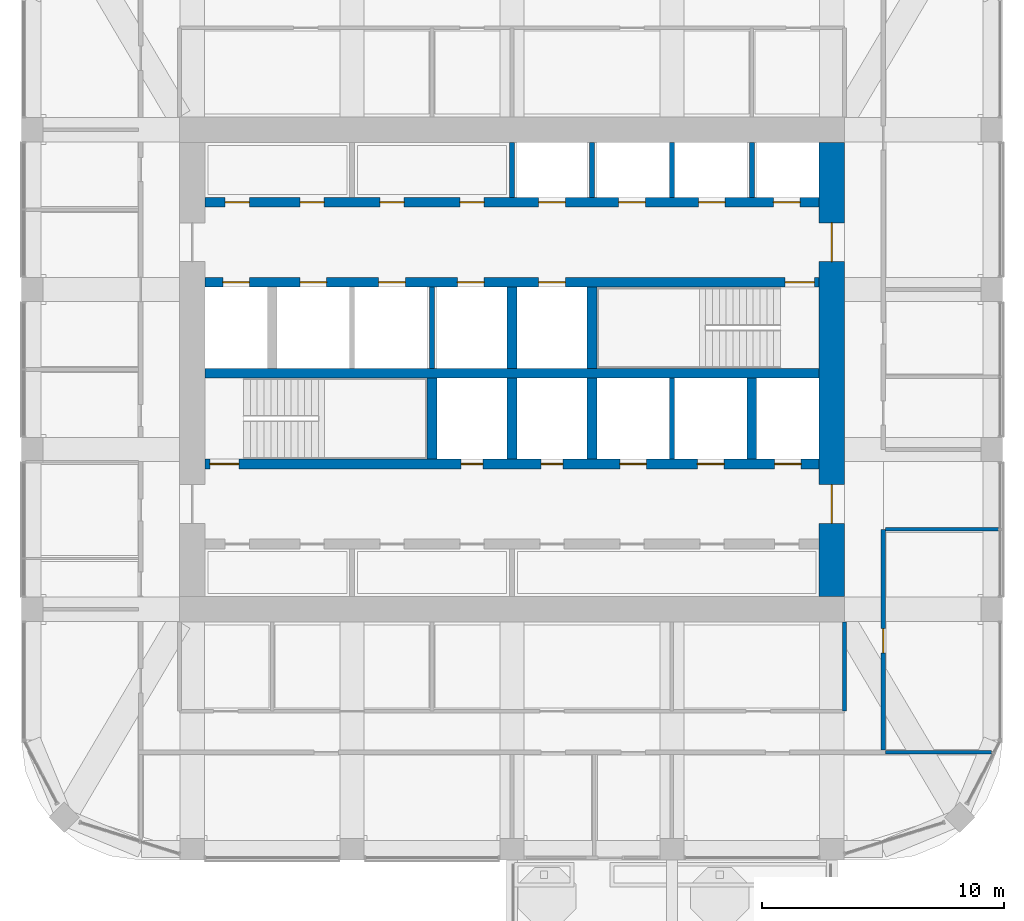
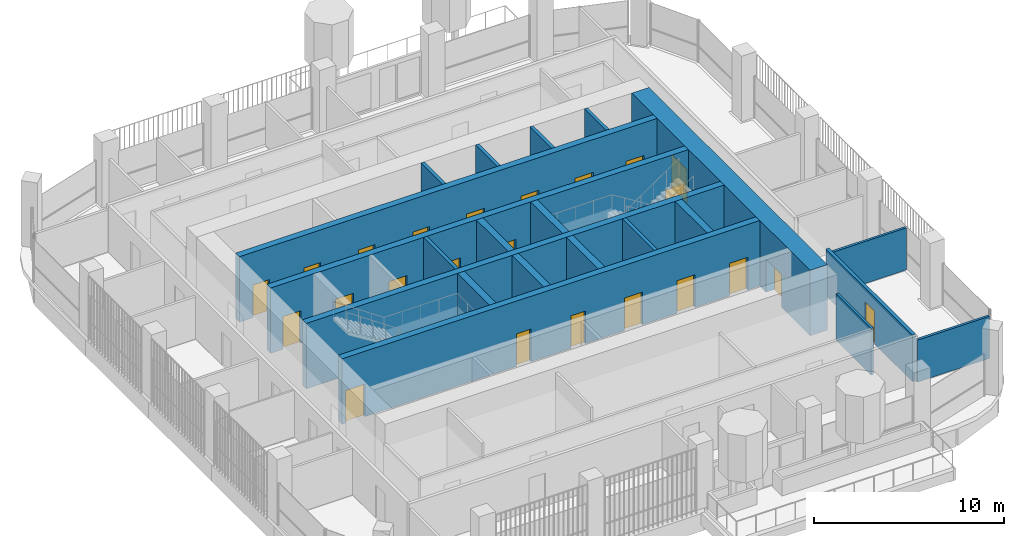
# One storey, part 15 of 21: 23 doors, 21 walls, 23 openings.
"""IFC4 building model written with IfcOpenShell, lengths in metres."""

import ifcopenshell
import ifcopenshell.guid

model = None  # the IFC model being written
_history = None  # IfcOwnerHistory: only IFC2X3 demands one
_inside = {}  # id of a spatial element -> (the spatial element, [elements in it])
_under = {}  # id of a project, library or spatial element -> (it, [spatial elements below it])
_declared = {}  # id of a project -> (the project, [libraries it declares])
_typed = {}  # id of a type object -> (the type object, [elements of that type])
_made_of = {}  # id of a material, layer set ... -> (it, [elements and type objects made of it])


def new_model(schema):
    """Start an empty IFC model of exactly this schema.

    Asked for "IFC4X3", IfcOpenShell would pick the latest addendum, in which some entities
    have other attributes; the version numbers below select the first issue.
    IFC2X3 requires an IfcOwnerHistory on every rooted entity: one is made here for all.
    """
    global model, _history
    if schema == "IFC4X3":
        model = ifcopenshell.file(schema_version=(4, 3, 0, 0))
    else:
        model = ifcopenshell.file(schema=schema)
    _inside.clear()
    _under.clear()
    _declared.clear()
    _typed.clear()
    _made_of.clear()
    _history = None
    if model.schema == "IFC2X3":
        org = make("IfcOrganization", Name="unknown")
        user = make(
            "IfcPersonAndOrganization",
            ThePerson=make("IfcPerson", FamilyName="unknown"),
            TheOrganization=org,
        )
        app = make(
            "IfcApplication",
            ApplicationDeveloper=org,
            Version="unknown",
            ApplicationFullName="unknown",
            ApplicationIdentifier="unknown",
        )
        _history = make(
            "IfcOwnerHistory",
            OwningUser=user,
            OwningApplication=app,
            ChangeAction="ADDED",
            CreationDate=0,
        )
    return model


def make(cls, **values):
    """One entity of the class cls with the attributes given. An attribute that is None is left unset."""
    return model.create_entity(
        cls, **{name: value for name, value in values.items() if value is not None}
    )


def rooted(cls, **values):
    """An entity with a GlobalId (a new one), such as an element, a storey or a relation."""
    return make(cls, GlobalId=ifcopenshell.guid.new(), OwnerHistory=_history, **values)


def si_unit(unit_type, name, prefix=None):
    """IfcSIUnit, for example si_unit("LENGTHUNIT", "METRE", prefix="MILLI")."""
    return make("IfcSIUnit", UnitType=unit_type, Prefix=prefix, Name=name)


def assignment(units):
    """IfcUnitAssignment: the units of a project."""
    return None if units is None else make("IfcUnitAssignment", Units=units)


def point(xyz):
    """IfcCartesianPoint."""
    return None if xyz is None else make("IfcCartesianPoint", Coordinates=xyz)


def direction(xyz):
    """IfcDirection."""
    return None if xyz is None else make("IfcDirection", DirectionRatios=xyz)


def frame(location, z_axis=None, x_axis=None):
    """IfcAxis2Placement3D, a coordinate frame: its origin and axes. An axis left out is left unset."""
    return make(
        "IfcAxis2Placement3D",
        Location=point(location),
        Axis=direction(z_axis),
        RefDirection=direction(x_axis),
    )


def frame_2d(location, x_axis=None):
    """IfcAxis2Placement2D, a coordinate frame in the plane: its origin and x axis."""
    return make(
        "IfcAxis2Placement2D", Location=point(location), RefDirection=direction(x_axis)
    )


def origin():
    """The frame at (0, 0, 0) with its axes left unset."""
    return frame((0.0, 0.0, 0.0))


def place(relative_to, where):
    """IfcLocalPlacement: puts the frame where relative to a parent placement (None: the world)."""
    return make(
        "IfcLocalPlacement", PlacementRelTo=relative_to, RelativePlacement=where
    )


def context(
    kind, dimensions, precision=None, world=None, true_north=None, identifier=None
):
    """IfcGeometricRepresentationContext, for example the 3D "Model" context."""
    return make(
        "IfcGeometricRepresentationContext",
        ContextIdentifier=identifier,
        ContextType=kind,
        CoordinateSpaceDimension=dimensions,
        Precision=precision,
        WorldCoordinateSystem=world,
        TrueNorth=true_north,
    )


def subcontext(parent, identifier, kind, view, scale=None):
    """IfcGeometricRepresentationSubContext, for example "Body" below "Model"."""
    return make(
        "IfcGeometricRepresentationSubContext",
        ContextIdentifier=identifier,
        ContextType=kind,
        ParentContext=parent,
        TargetScale=scale,
        TargetView=view,
    )


def project(units=None, contexts=None):
    """IfcProject with its units and contexts."""
    return rooted(
        "IfcProject",
        Name="project",
        RepresentationContexts=contexts,
        UnitsInContext=assignment(units),
    )


def spatial(cls, under=None, at=None, **own):
    """A site, building, storey or space (cls), placed at a placement, below another one or the project."""
    s = rooted(cls, ObjectPlacement=at, **own)
    if under is not None:
        _under.setdefault(under.id(), (under, []))[1].append(s)
    return s


def profile(cls, at=None, kind="AREA", **sizes):
    """A parametric profile (cls). Its sizes go by their IFC names, for example OverallWidth=200.0."""
    return make(cls, ProfileType=kind, Position=at, **sizes)


def rectangle(**sizes):
    """IfcRectangleProfileDef."""
    return profile("IfcRectangleProfileDef", **sizes)


def extrude(swept, where, along, depth):
    """IfcExtrudedAreaSolid: the profile swept, set in the frame where, extruded along a direction by depth."""
    return make(
        "IfcExtrudedAreaSolid",
        SweptArea=swept,
        Position=where,
        ExtrudedDirection=direction(along),
        Depth=depth,
    )


def shape(context_of_items, identifier, shape_type, items):
    """IfcShapeRepresentation: the items that make up one representation, for example the "Body"."""
    return make(
        "IfcShapeRepresentation",
        ContextOfItems=context_of_items,
        RepresentationIdentifier=identifier,
        RepresentationType=shape_type,
        Items=items,
    )


def material(Name=None, Category=None):
    """IfcMaterial."""
    return make("IfcMaterial", Name=Name, Category=Category)


def layer(
    of_material, thickness, ventilated=None, Name=None, Category=None, Priority=None
):
    """IfcMaterialLayer: one layer of a wall or slab, of a material (None: an air gap)."""
    return make(
        "IfcMaterialLayer",
        Material=of_material,
        LayerThickness=thickness,
        IsVentilated=ventilated,
        Name=Name,
        Category=Category,
        Priority=Priority,
    )


def layer_set(layers, Name=None):
    """IfcMaterialLayerSet."""
    return make("IfcMaterialLayerSet", MaterialLayers=layers, LayerSetName=Name)


def made_of(thing, what):
    """Note that an element or type object is made of a material, layer set ...; save() writes the relation."""
    if what is not None:
        _made_of.setdefault(what.id(), (what, []))[1].append(thing)
    return thing


def type_object(cls, material=None, **own):
    """A type object (cls), such as IfcWallType, which elements share."""
    return made_of(rooted(cls, **own), material)


def element(
    cls,
    number,
    at=None,
    inside=None,
    cuts=None,
    type_object=None,
    material=None,
    context=None,
    identifier="Body",
    shape_type=None,
    held_by="IfcProductDefinitionShape",
    body=None,
    shapes=None,
    **own,
):
    """One element of the class cls, such as IfcWall. Its Tag is "e" and its number.

    at: its placement. inside: the storey or other place that contains it. cuts: it is an
    opening in that element (IfcRelVoidsElement). A single representation is given by context,
    identifier, shape_type and body (its items); several are given by shapes. held_by: the class
    of the entity that holds the representations. save() writes the other relations.
    """
    e = rooted(cls, Tag="e%d" % number, ObjectPlacement=at, **own)
    if body is not None:
        shapes = [shape(context, identifier, shape_type, body)]
    if shapes is not None:
        e.Representation = make(held_by, Representations=shapes)
    if inside is not None:
        _inside.setdefault(inside.id(), (inside, []))[1].append(e)
    if cuts is not None:
        rooted(
            "IfcRelVoidsElement", RelatingBuildingElement=cuts, RelatedOpeningElement=e
        )
    if type_object is not None:
        _typed.setdefault(type_object.id(), (type_object, []))[1].append(e)
    return made_of(e, material)


def fill(opening, filler):
    """IfcRelFillsElement: the door or window that sits in an opening."""
    return rooted(
        "IfcRelFillsElement",
        RelatingOpeningElement=opening,
        RelatedBuildingElement=filler,
    )


def aggregate(whole, parts):
    """IfcRelAggregates: a whole, such as a stair, and the parts it consists of."""
    return rooted("IfcRelAggregates", RelatingObject=whole, RelatedObjects=parts)


def save(model, path):
    """Write the relations noted so far, then the file.

    IfcRelAggregates (storeys below a building ...), IfcRelContainedInSpatialStructure (elements
    in a storey), IfcRelDefinesByType, IfcRelAssociatesMaterial and IfcRelDeclares: one each for
    every whole, place, type object, material and project.
    """
    for whole, parts in _under.values():
        aggregate(whole, parts)
    for where, things in _inside.values():
        rooted(
            "IfcRelContainedInSpatialStructure",
            RelatedElements=things,
            RelatingStructure=where,
        )
    for kind, things in _typed.values():
        rooted("IfcRelDefinesByType", RelatedObjects=things, RelatingType=kind)
    for what, things in _made_of.values():
        rooted("IfcRelAssociatesMaterial", RelatedObjects=things, RelatingMaterial=what)
    for by, libraries in _declared.values():
        rooted("IfcRelDeclares", RelatingContext=by, RelatedDefinitions=libraries)
    model.write(path)


model = new_model("IFC4")

# Units and contexts
model_context = context("Model", 3, precision=1e-05, world=origin(), true_north=direction((0.0, 1.0)))
body_context = subcontext(model_context, "Body", "Model", "MODEL_VIEW")
ifc_project = project(units=[si_unit("LENGTHUNIT", "METRE"), si_unit("AREAUNIT", "SQUARE_METRE"), si_unit("VOLUMEUNIT", "CUBIC_METRE"), si_unit("PLANEANGLEUNIT", "RADIAN"), si_unit("MASSUNIT", "GRAM", prefix="KILO")], contexts=[model_context])

# Site, building, storey
site_placement = place(None, origin())
site = spatial("IfcSite", under=ifc_project, at=site_placement, CompositionType="ELEMENT")
building_placement = place(site_placement, origin())
building = spatial("IfcBuilding", under=site, at=building_placement, Name="Cobogo Forest Laboratory Tower", CompositionType="ELEMENT")
storey_placement = place(building_placement, frame((0.0, 0.0, 267.0)))
storey = spatial("IfcBuildingStorey", under=building, at=storey_placement, Name="L61", CompositionType="ELEMENT", Elevation=267.0)

# Wall, openings, doors
ifc_material_1 = material(Name="Concrete HA-50 (C50/60)", Category="concrete")
ifc_layer_1 = layer(ifc_material_1, 0.39990234375)
ifc_layer_set_1 = layer_set([ifc_layer_1], Name="CI400 core inner wall 400")
wall_type_1 = type_object("IfcWallType", Name="CI400 core inner wall 400", PredefinedType="SHEAR", material=ifc_layer_set_1)
wall_1_placement = place(storey_placement, frame((13.72509765625, 19.199951171875, 0.0), z_axis=(0.0, 0.0, 1.0), x_axis=(1.0, 0.0, 0.0)))
wall_1 = element("IfcWall", 1, at=wall_1_placement, inside=storey, type_object=wall_type_1, Name="Core wall CI-19.2 L61", PredefinedType="SHEAR", context=body_context, shape_type="SweptSolid", body=[
    extrude(rectangle(XDim=25.349853515625, YDim=0.39990234375, at=frame_2d((12.6748046875, 0.0))), origin(), (0.0, 0.0, 1.0), 4.199951171875),
])
opening_1_placement = place(wall_1_placement, frame((10.574951171875, 0.0, 0.0)))
opening_1 = element("IfcOpeningElement", 2, at=opening_1_placement, cuts=wall_1, Name="Opening L61-D25", PredefinedType="OPENING", context=body_context, shape_type="SweptSolid", body=[
    extrude(rectangle(XDim=0.89990234375, YDim=2.10009765625, at=frame_2d((0.449951171875, 1.050048828125))), frame((0.0, 0.2099609375, 0.0), z_axis=(0.0, -1.0, 0.0), x_axis=(1.0, 0.0, 0.0)), (0.0, 0.0, 1.0), 0.419921875),
])
opening_2_placement = place(wall_1_placement, frame((13.875, 0.0, 0.0)))
opening_2 = element("IfcOpeningElement", 3, at=opening_2_placement, cuts=wall_1, Name="Opening L61-D26", PredefinedType="OPENING", context=body_context, shape_type="SweptSolid", body=[
    extrude(rectangle(XDim=0.89990234375, YDim=2.10009765625, at=frame_2d((0.449951171875, 1.050048828125))), frame((0.0, 0.2099609375, 0.0), z_axis=(0.0, -1.0, 0.0), x_axis=(1.0, 0.0, 0.0)), (0.0, 0.0, 1.0), 0.419921875),
])
opening_3_placement = place(wall_1_placement, frame((0.199951171875, 0.0, 0.0)))
opening_3 = element("IfcOpeningElement", 4, at=opening_3_placement, cuts=wall_1, Name="Opening L61-D24", PredefinedType="OPENING", context=body_context, shape_type="SweptSolid", body=[
    extrude(rectangle(XDim=1.199951171875, YDim=2.10009765625, at=frame_2d((0.60009765625, 1.050048828125))), frame((0.0, 0.2099609375, 0.0), z_axis=(0.0, -1.0, 0.0), x_axis=(1.0, 0.0, 0.0)), (0.0, 0.0, 1.0), 0.419921875),
])
opening_4_placement = place(wall_1_placement, frame((23.512451171875, 0.0, 0.0)))
opening_4 = element("IfcOpeningElement", 5, at=opening_4_placement, cuts=wall_1, Name="Opening L61-LD-FL2", PredefinedType="OPENING", context=body_context, shape_type="SweptSolid", body=[
    extrude(rectangle(XDim=1.10009765625, YDim=2.10009765625, at=frame_2d((0.550048828125, 1.050048828125))), frame((0.0, 0.2099609375, 0.0), z_axis=(0.0, -1.0, 0.0), x_axis=(1.0, 0.0, 0.0)), (0.0, 0.0, 1.0), 0.419921875),
])
opening_5_placement = place(wall_1_placement, frame((17.125, 0.0, 0.0)))
opening_5 = element("IfcOpeningElement", 6, at=opening_5_placement, cuts=wall_1, Name="Opening L61-LD-LS1", PredefinedType="OPENING", context=body_context, shape_type="SweptSolid", body=[
    extrude(rectangle(XDim=1.10009765625, YDim=2.10009765625, at=frame_2d((0.550048828125, 1.050048828125))), frame((0.0, 0.2099609375, 0.0), z_axis=(0.0, -1.0, 0.0), x_axis=(1.0, 0.0, 0.0)), (0.0, 0.0, 1.0), 0.419921875),
])
opening_6_placement = place(wall_1_placement, frame((20.324951171875, 0.0, 0.0)))
opening_6 = element("IfcOpeningElement", 7, at=opening_6_placement, cuts=wall_1, Name="Opening L61-LD-LS2", PredefinedType="OPENING", context=body_context, shape_type="SweptSolid", body=[
    extrude(rectangle(XDim=1.10009765625, YDim=2.10009765625, at=frame_2d((0.550048828125, 1.050048828125))), frame((0.0, 0.2099609375, 0.0), z_axis=(0.0, -1.0, 0.0), x_axis=(1.0, 0.0, 0.0)), (0.0, 0.0, 1.0), 0.419921875),
])
ifc_material_2 = material(Name="Steel fire door", Category="steel")
door_type_1 = type_object("IfcDoorType", Name="DS1 protected stair door 1200 EI2 60", OperationType="SINGLE_SWING_LEFT", PredefinedType="DOOR", material=ifc_material_2)
door_1_placement = place(opening_3_placement, origin())
door_1 = element("IfcDoor", 8, at=door_1_placement, inside=storey, type_object=door_type_1, Name="Door L61-ST1", OperationType="SINGLE_SWING_LEFT", OverallHeight=2.10009765625, OverallWidth=1.199951171875, PredefinedType="DOOR", context=body_context, shape_type="SweptSolid", body=[
    extrude(rectangle(XDim=1.199951171875, YDim=2.10009765625, at=frame_2d((0.60009765625, 1.050048828125))), frame((0.0, 0.02490234375, 0.0), z_axis=(0.0, -1.0, 0.0), x_axis=(1.0, 0.0, 0.0)), (0.0, 0.0, 1.0), 0.050048828125),
])
fill(opening_3, door_1)
door_type_2 = type_object("IfcDoorType", Name="FD4 riser access door 900 EI2 60", OperationType="SINGLE_SWING_LEFT", PredefinedType="DOOR", material=ifc_material_2)
door_2_placement = place(opening_1_placement, origin())
door_2 = element("IfcDoor", 9, at=door_2_placement, inside=storey, type_object=door_type_2, Name="Door L61-R1", OperationType="SINGLE_SWING_LEFT", OverallHeight=2.10009765625, OverallWidth=0.89990234375, PredefinedType="DOOR", context=body_context, shape_type="SweptSolid", body=[
    extrude(rectangle(XDim=0.89990234375, YDim=2.10009765625, at=frame_2d((0.449951171875, 1.050048828125))), frame((0.0, 0.02490234375, 0.0), z_axis=(0.0, -1.0, 0.0), x_axis=(1.0, 0.0, 0.0)), (0.0, 0.0, 1.0), 0.050048828125),
])
fill(opening_1, door_2)
door_3_placement = place(opening_2_placement, origin())
door_3 = element("IfcDoor", 10, at=door_3_placement, inside=storey, type_object=door_type_2, Name="Door L61-R2", OperationType="SINGLE_SWING_RIGHT", OverallHeight=2.10009765625, OverallWidth=0.89990234375, PredefinedType="DOOR", context=body_context, shape_type="SweptSolid", body=[
    extrude(rectangle(XDim=0.89990234375, YDim=2.10009765625, at=frame_2d((0.449951171875, 1.050048828125))), frame((0.0, 0.02490234375, 0.0), z_axis=(0.0, -1.0, 0.0), x_axis=(1.0, 0.0, 0.0)), (0.0, 0.0, 1.0), 0.050048828125),
])
fill(opening_2, door_3)
ifc_material_3 = material(Name="Stainless steel lift door", Category="steel")
door_type_3 = type_object("IfcDoorType", Name="LD lift landing door 1100", OperationType="DOUBLE_DOOR_SLIDING", PredefinedType="DOOR", material=ifc_material_3)
door_4_placement = place(opening_4_placement, origin())
door_4 = element("IfcDoor", 11, at=door_4_placement, inside=storey, type_object=door_type_3, Name="Lift landing door FL2 L61", OperationType="DOUBLE_DOOR_SLIDING", OverallHeight=2.10009765625, OverallWidth=1.10009765625, PredefinedType="DOOR", context=body_context, shape_type="SweptSolid", body=[
    extrude(rectangle(XDim=1.10009765625, YDim=2.10009765625, at=frame_2d((0.550048828125, 1.050048828125))), frame((0.0, 0.02490234375, 0.0), z_axis=(0.0, -1.0, 0.0), x_axis=(1.0, 0.0, 0.0)), (0.0, 0.0, 1.0), 0.050048828125),
])
fill(opening_4, door_4)
door_5_placement = place(opening_5_placement, origin())
door_5 = element("IfcDoor", 12, at=door_5_placement, inside=storey, type_object=door_type_3, Name="Lift landing door LS1 L61", OperationType="DOUBLE_DOOR_SLIDING", OverallHeight=2.10009765625, OverallWidth=1.10009765625, PredefinedType="DOOR", context=body_context, shape_type="SweptSolid", body=[
    extrude(rectangle(XDim=1.10009765625, YDim=2.10009765625, at=frame_2d((0.550048828125, 1.050048828125))), frame((0.0, 0.02490234375, 0.0), z_axis=(0.0, -1.0, 0.0), x_axis=(1.0, 0.0, 0.0)), (0.0, 0.0, 1.0), 0.050048828125),
])
fill(opening_5, door_5)
door_6_placement = place(opening_6_placement, origin())
door_6 = element("IfcDoor", 13, at=door_6_placement, inside=storey, type_object=door_type_3, Name="Lift landing door LS2 L61", OperationType="DOUBLE_DOOR_SLIDING", OverallHeight=2.10009765625, OverallWidth=1.10009765625, PredefinedType="DOOR", context=body_context, shape_type="SweptSolid", body=[
    extrude(rectangle(XDim=1.10009765625, YDim=2.10009765625, at=frame_2d((0.550048828125, 1.050048828125))), frame((0.0, 0.02490234375, 0.0), z_axis=(0.0, -1.0, 0.0), x_axis=(1.0, 0.0, 0.0)), (0.0, 0.0, 1.0), 0.050048828125),
])
fill(opening_6, door_6)

# Wall
wall_2_placement = place(storey_placement, frame((13.72509765625, 22.949951171875, 0.0), z_axis=(0.0, 0.0, 1.0), x_axis=(1.0, 0.0, 0.0)))
element("IfcWall", 14, at=wall_2_placement, inside=storey, type_object=wall_type_1, Name="Core wall CI-22.95 L61", PredefinedType="SHEAR", context=body_context, shape_type="SweptSolid", body=[
    extrude(rectangle(XDim=25.349853515625, YDim=0.39990234375, at=frame_2d((12.6748046875, 0.0))), origin(), (0.0, 0.0, 1.0), 4.199951171875),
])

# Wall, openings, doors
wall_3_placement = place(storey_placement, frame((13.72509765625, 26.699951171875, 0.0), z_axis=(0.0, 0.0, 1.0), x_axis=(1.0, 0.0, 0.0)))
wall_3 = element("IfcWall", 15, at=wall_3_placement, inside=storey, type_object=wall_type_1, Name="Core wall CI-26.7 L61", PredefinedType="SHEAR", context=body_context, shape_type="SweptSolid", body=[
    extrude(rectangle(XDim=25.349853515625, YDim=0.39990234375, at=frame_2d((12.6748046875, 0.0))), origin(), (0.0, 0.0, 1.0), 4.199951171875),
])
opening_7_placement = place(wall_3_placement, frame((23.949951171875, 0.0, 0.0)))
opening_7 = element("IfcOpeningElement", 16, at=opening_7_placement, cuts=wall_3, Name="Opening L61-D31", PredefinedType="OPENING", context=body_context, shape_type="SweptSolid", body=[
    extrude(rectangle(XDim=1.199951171875, YDim=2.10009765625, at=frame_2d((0.60009765625, 1.050048828125))), frame((0.0, 0.2099609375, 0.0), z_axis=(0.0, -1.0, 0.0), x_axis=(1.0, 0.0, 0.0)), (0.0, 0.0, 1.0), 0.419921875),
])
opening_8_placement = place(wall_3_placement, frame((0.737548828125, 0.0, 0.0)))
opening_8 = element("IfcOpeningElement", 17, at=opening_8_placement, cuts=wall_3, Name="Opening L61-LD-FL1", PredefinedType="OPENING", context=body_context, shape_type="SweptSolid", body=[
    extrude(rectangle(XDim=1.10009765625, YDim=2.10009765625, at=frame_2d((0.550048828125, 1.050048828125))), frame((0.0, 0.2099609375, 0.0), z_axis=(0.0, -1.0, 0.0), x_axis=(1.0, 0.0, 0.0)), (0.0, 0.0, 1.0), 0.419921875),
])
opening_9_placement = place(wall_3_placement, frame((3.925048828125, 0.0, 0.0)))
opening_9 = element("IfcOpeningElement", 18, at=opening_9_placement, cuts=wall_3, Name="Opening L61-LD-LS3", PredefinedType="OPENING", context=body_context, shape_type="SweptSolid", body=[
    extrude(rectangle(XDim=1.10009765625, YDim=2.10009765625, at=frame_2d((0.550048828125, 1.050048828125))), frame((0.0, 0.2099609375, 0.0), z_axis=(0.0, -1.0, 0.0), x_axis=(1.0, 0.0, 0.0)), (0.0, 0.0, 1.0), 0.419921875),
])
opening_10_placement = place(wall_3_placement, frame((7.175048828125, 0.0, 0.0)))
opening_10 = element("IfcOpeningElement", 19, at=opening_10_placement, cuts=wall_3, Name="Opening L61-LD-LS4", PredefinedType="OPENING", context=body_context, shape_type="SweptSolid", body=[
    extrude(rectangle(XDim=1.10009765625, YDim=2.10009765625, at=frame_2d((0.550048828125, 1.050048828125))), frame((0.0, 0.2099609375, 0.0), z_axis=(0.0, -1.0, 0.0), x_axis=(1.0, 0.0, 0.0)), (0.0, 0.0, 1.0), 0.419921875),
])
opening_11_placement = place(wall_3_placement, frame((10.425048828125, 0.0, 0.0)))
opening_11 = element("IfcOpeningElement", 20, at=opening_11_placement, cuts=wall_3, Name="Opening L61-LD-LS5", PredefinedType="OPENING", context=body_context, shape_type="SweptSolid", body=[
    extrude(rectangle(XDim=1.10009765625, YDim=2.10009765625, at=frame_2d((0.550048828125, 1.050048828125))), frame((0.0, 0.2099609375, 0.0), z_axis=(0.0, -1.0, 0.0), x_axis=(1.0, 0.0, 0.0)), (0.0, 0.0, 1.0), 0.419921875),
])
opening_12_placement = place(wall_3_placement, frame((13.77490234375, 0.0, 0.0)))
opening_12 = element("IfcOpeningElement", 21, at=opening_12_placement, cuts=wall_3, Name="Opening L61-LD-LS6", PredefinedType="OPENING", context=body_context, shape_type="SweptSolid", body=[
    extrude(rectangle(XDim=1.10009765625, YDim=2.10009765625, at=frame_2d((0.550048828125, 1.050048828125))), frame((0.0, 0.2099609375, 0.0), z_axis=(0.0, -1.0, 0.0), x_axis=(1.0, 0.0, 0.0)), (0.0, 0.0, 1.0), 0.419921875),
])
door_7_placement = place(opening_7_placement, origin())
door_7 = element("IfcDoor", 22, at=door_7_placement, inside=storey, type_object=door_type_1, Name="Door L61-ST2", OperationType="SINGLE_SWING_RIGHT", OverallHeight=2.10009765625, OverallWidth=1.199951171875, PredefinedType="DOOR", context=body_context, shape_type="SweptSolid", body=[
    extrude(rectangle(XDim=1.199951171875, YDim=2.10009765625, at=frame_2d((0.60009765625, 1.050048828125))), frame((0.0, 0.02490234375, 0.0), z_axis=(0.0, -1.0, 0.0), x_axis=(1.0, 0.0, 0.0)), (0.0, 0.0, 1.0), 0.050048828125),
])
fill(opening_7, door_7)
door_8_placement = place(opening_8_placement, origin())
door_8 = element("IfcDoor", 23, at=door_8_placement, inside=storey, type_object=door_type_3, Name="Lift landing door FL1 L61", OperationType="DOUBLE_DOOR_SLIDING", OverallHeight=2.10009765625, OverallWidth=1.10009765625, PredefinedType="DOOR", context=body_context, shape_type="SweptSolid", body=[
    extrude(rectangle(XDim=1.10009765625, YDim=2.10009765625, at=frame_2d((0.550048828125, 1.050048828125))), frame((0.0, 0.02490234375, 0.0), z_axis=(0.0, -1.0, 0.0), x_axis=(1.0, 0.0, 0.0)), (0.0, 0.0, 1.0), 0.050048828125),
])
fill(opening_8, door_8)
door_9_placement = place(opening_9_placement, origin())
door_9 = element("IfcDoor", 24, at=door_9_placement, inside=storey, type_object=door_type_3, Name="Lift landing door LS3 L61", OperationType="DOUBLE_DOOR_SLIDING", OverallHeight=2.10009765625, OverallWidth=1.10009765625, PredefinedType="DOOR", context=body_context, shape_type="SweptSolid", body=[
    extrude(rectangle(XDim=1.10009765625, YDim=2.10009765625, at=frame_2d((0.550048828125, 1.050048828125))), frame((0.0, 0.02490234375, 0.0), z_axis=(0.0, -1.0, 0.0), x_axis=(1.0, 0.0, 0.0)), (0.0, 0.0, 1.0), 0.050048828125),
])
fill(opening_9, door_9)
door_10_placement = place(opening_10_placement, origin())
door_10 = element("IfcDoor", 25, at=door_10_placement, inside=storey, type_object=door_type_3, Name="Lift landing door LS4 L61", OperationType="DOUBLE_DOOR_SLIDING", OverallHeight=2.10009765625, OverallWidth=1.10009765625, PredefinedType="DOOR", context=body_context, shape_type="SweptSolid", body=[
    extrude(rectangle(XDim=1.10009765625, YDim=2.10009765625, at=frame_2d((0.550048828125, 1.050048828125))), frame((0.0, 0.02490234375, 0.0), z_axis=(0.0, -1.0, 0.0), x_axis=(1.0, 0.0, 0.0)), (0.0, 0.0, 1.0), 0.050048828125),
])
fill(opening_10, door_10)
door_11_placement = place(opening_11_placement, origin())
door_11 = element("IfcDoor", 26, at=door_11_placement, inside=storey, type_object=door_type_3, Name="Lift landing door LS5 L61", OperationType="DOUBLE_DOOR_SLIDING", OverallHeight=2.10009765625, OverallWidth=1.10009765625, PredefinedType="DOOR", context=body_context, shape_type="SweptSolid", body=[
    extrude(rectangle(XDim=1.10009765625, YDim=2.10009765625, at=frame_2d((0.550048828125, 1.050048828125))), frame((0.0, 0.02490234375, 0.0), z_axis=(0.0, -1.0, 0.0), x_axis=(1.0, 0.0, 0.0)), (0.0, 0.0, 1.0), 0.050048828125),
])
fill(opening_11, door_11)
door_12_placement = place(opening_12_placement, origin())
door_12 = element("IfcDoor", 27, at=door_12_placement, inside=storey, type_object=door_type_3, Name="Lift landing door LS6 L61", OperationType="DOUBLE_DOOR_SLIDING", OverallHeight=2.10009765625, OverallWidth=1.10009765625, PredefinedType="DOOR", context=body_context, shape_type="SweptSolid", body=[
    extrude(rectangle(XDim=1.10009765625, YDim=2.10009765625, at=frame_2d((0.550048828125, 1.050048828125))), frame((0.0, 0.02490234375, 0.0), z_axis=(0.0, -1.0, 0.0), x_axis=(1.0, 0.0, 0.0)), (0.0, 0.0, 1.0), 0.050048828125),
])
fill(opening_12, door_12)

wall_4_placement = place(storey_placement, frame((13.72509765625, 30.0, 0.0), z_axis=(0.0, 0.0, 1.0), x_axis=(1.0, 0.0, 0.0)))
wall_4 = element("IfcWall", 28, at=wall_4_placement, inside=storey, type_object=wall_type_1, Name="Core wall CI-30.0 L61", PredefinedType="SHEAR", context=body_context, shape_type="SweptSolid", body=[
    extrude(rectangle(XDim=25.349853515625, YDim=0.39990234375, at=frame_2d((12.6748046875, 0.0))), origin(), (0.0, 0.0, 1.0), 4.199951171875),
])
opening_13_placement = place(wall_4_placement, frame((0.83740234375, 0.0, 0.0)))
opening_13 = element("IfcOpeningElement", 29, at=opening_13_placement, cuts=wall_4, Name="Opening L61-D34", PredefinedType="OPENING", context=body_context, shape_type="SweptSolid", body=[
    extrude(rectangle(XDim=1.0, YDim=2.10009765625, at=frame_2d((0.5, 1.050048828125))), frame((0.0, 0.2099609375, 0.0), z_axis=(0.0, -1.0, 0.0), x_axis=(1.0, 0.0, 0.0)), (0.0, 0.0, 1.0), 0.419921875),
])
opening_14_placement = place(wall_4_placement, frame((3.925048828125, 0.0, 0.0)))
opening_14 = element("IfcOpeningElement", 30, at=opening_14_placement, cuts=wall_4, Name="Opening L61-D35", PredefinedType="OPENING", context=body_context, shape_type="SweptSolid", body=[
    extrude(rectangle(XDim=1.0, YDim=2.10009765625, at=frame_2d((0.5, 1.050048828125))), frame((0.0, 0.2099609375, 0.0), z_axis=(0.0, -1.0, 0.0), x_axis=(1.0, 0.0, 0.0)), (0.0, 0.0, 1.0), 0.419921875),
])
opening_15_placement = place(wall_4_placement, frame((7.22509765625, 0.0, 0.0)))
opening_15 = element("IfcOpeningElement", 31, at=opening_15_placement, cuts=wall_4, Name="Opening L61-D36", PredefinedType="OPENING", context=body_context, shape_type="SweptSolid", body=[
    extrude(rectangle(XDim=1.0, YDim=2.10009765625, at=frame_2d((0.5, 1.050048828125))), frame((0.0, 0.2099609375, 0.0), z_axis=(0.0, -1.0, 0.0), x_axis=(1.0, 0.0, 0.0)), (0.0, 0.0, 1.0), 0.419921875),
])
opening_16_placement = place(wall_4_placement, frame((10.52490234375, 0.0, 0.0)))
opening_16 = element("IfcOpeningElement", 32, at=opening_16_placement, cuts=wall_4, Name="Opening L61-D37", PredefinedType="OPENING", context=body_context, shape_type="SweptSolid", body=[
    extrude(rectangle(XDim=1.0, YDim=2.10009765625, at=frame_2d((0.5, 1.050048828125))), frame((0.0, 0.2099609375, 0.0), z_axis=(0.0, -1.0, 0.0), x_axis=(1.0, 0.0, 0.0)), (0.0, 0.0, 1.0), 0.419921875),
])
opening_17_placement = place(wall_4_placement, frame((13.77490234375, 0.0, 0.0)))
opening_17 = element("IfcOpeningElement", 33, at=opening_17_placement, cuts=wall_4, Name="Opening L61-LD-LD1", PredefinedType="OPENING", context=body_context, shape_type="SweptSolid", body=[
    extrude(rectangle(XDim=1.10009765625, YDim=2.10009765625, at=frame_2d((0.550048828125, 1.050048828125))), frame((0.0, 0.2099609375, 0.0), z_axis=(0.0, -1.0, 0.0), x_axis=(1.0, 0.0, 0.0)), (0.0, 0.0, 1.0), 0.419921875),
])
opening_18_placement = place(wall_4_placement, frame((17.074951171875, 0.0, 0.0)))
opening_18 = element("IfcOpeningElement", 34, at=opening_18_placement, cuts=wall_4, Name="Opening L61-LD-LD2", PredefinedType="OPENING", context=body_context, shape_type="SweptSolid", body=[
    extrude(rectangle(XDim=1.10009765625, YDim=2.10009765625, at=frame_2d((0.550048828125, 1.050048828125))), frame((0.0, 0.2099609375, 0.0), z_axis=(0.0, -1.0, 0.0), x_axis=(1.0, 0.0, 0.0)), (0.0, 0.0, 1.0), 0.419921875),
])
opening_19_placement = place(wall_4_placement, frame((20.375, 0.0, 0.0)))
opening_19 = element("IfcOpeningElement", 35, at=opening_19_placement, cuts=wall_4, Name="Opening L61-LD-LD3", PredefinedType="OPENING", context=body_context, shape_type="SweptSolid", body=[
    extrude(rectangle(XDim=1.10009765625, YDim=2.10009765625, at=frame_2d((0.550048828125, 1.050048828125))), frame((0.0, 0.2099609375, 0.0), z_axis=(0.0, -1.0, 0.0), x_axis=(1.0, 0.0, 0.0)), (0.0, 0.0, 1.0), 0.419921875),
])
opening_20_placement = place(wall_4_placement, frame((23.46240234375, 0.0, 0.0)))
opening_20 = element("IfcOpeningElement", 36, at=opening_20_placement, cuts=wall_4, Name="Opening L61-LD-LD4", PredefinedType="OPENING", context=body_context, shape_type="SweptSolid", body=[
    extrude(rectangle(XDim=1.10009765625, YDim=2.10009765625, at=frame_2d((0.550048828125, 1.050048828125))), frame((0.0, 0.2099609375, 0.0), z_axis=(0.0, -1.0, 0.0), x_axis=(1.0, 0.0, 0.0)), (0.0, 0.0, 1.0), 0.419921875),
])
door_type_4 = type_object("IfcDoorType", Name="FD1 fire door 1000 EI2 60", OperationType="SINGLE_SWING_LEFT", PredefinedType="DOOR", material=ifc_material_2)
door_13_placement = place(opening_13_placement, origin())
door_13 = element("IfcDoor", 37, at=door_13_placement, inside=storey, type_object=door_type_4, Name="Door L61-SH-LC1", OperationType="SINGLE_SWING_LEFT", OverallHeight=2.10009765625, OverallWidth=1.0, PredefinedType="DOOR", context=body_context, shape_type="SweptSolid", body=[
    extrude(rectangle(XDim=1.0, YDim=2.10009765625, at=frame_2d((0.5, 1.050048828125))), frame((0.0, 0.02490234375, 0.0), z_axis=(0.0, -1.0, 0.0), x_axis=(1.0, 0.0, 0.0)), (0.0, 0.0, 1.0), 0.050048828125),
])
fill(opening_13, door_13)
door_14_placement = place(opening_14_placement, origin())
door_14 = element("IfcDoor", 38, at=door_14_placement, inside=storey, type_object=door_type_4, Name="Door L61-SH-LC2", OperationType="SINGLE_SWING_LEFT", OverallHeight=2.10009765625, OverallWidth=1.0, PredefinedType="DOOR", context=body_context, shape_type="SweptSolid", body=[
    extrude(rectangle(XDim=1.0, YDim=2.10009765625, at=frame_2d((0.5, 1.050048828125))), frame((0.0, 0.02490234375, 0.0), z_axis=(0.0, -1.0, 0.0), x_axis=(1.0, 0.0, 0.0)), (0.0, 0.0, 1.0), 0.050048828125),
])
fill(opening_14, door_14)
door_15_placement = place(opening_15_placement, origin())
door_15 = element("IfcDoor", 39, at=door_15_placement, inside=storey, type_object=door_type_4, Name="Door L61-SH-LC3", OperationType="SINGLE_SWING_LEFT", OverallHeight=2.10009765625, OverallWidth=1.0, PredefinedType="DOOR", context=body_context, shape_type="SweptSolid", body=[
    extrude(rectangle(XDim=1.0, YDim=2.10009765625, at=frame_2d((0.5, 1.050048828125))), frame((0.0, 0.02490234375, 0.0), z_axis=(0.0, -1.0, 0.0), x_axis=(1.0, 0.0, 0.0)), (0.0, 0.0, 1.0), 0.050048828125),
])
fill(opening_15, door_15)
door_16_placement = place(opening_16_placement, origin())
door_16 = element("IfcDoor", 40, at=door_16_placement, inside=storey, type_object=door_type_4, Name="Door L61-SH-LC4", OperationType="SINGLE_SWING_LEFT", OverallHeight=2.10009765625, OverallWidth=1.0, PredefinedType="DOOR", context=body_context, shape_type="SweptSolid", body=[
    extrude(rectangle(XDim=1.0, YDim=2.10009765625, at=frame_2d((0.5, 1.050048828125))), frame((0.0, 0.02490234375, 0.0), z_axis=(0.0, -1.0, 0.0), x_axis=(1.0, 0.0, 0.0)), (0.0, 0.0, 1.0), 0.050048828125),
])
fill(opening_16, door_16)
door_17_placement = place(opening_17_placement, origin())
door_17 = element("IfcDoor", 41, at=door_17_placement, inside=storey, type_object=door_type_3, Name="Lift landing door LD1 L61", OperationType="DOUBLE_DOOR_SLIDING", OverallHeight=2.10009765625, OverallWidth=1.10009765625, PredefinedType="DOOR", context=body_context, shape_type="SweptSolid", body=[
    extrude(rectangle(XDim=1.10009765625, YDim=2.10009765625, at=frame_2d((0.550048828125, 1.050048828125))), frame((0.0, 0.02490234375, 0.0), z_axis=(0.0, -1.0, 0.0), x_axis=(1.0, 0.0, 0.0)), (0.0, 0.0, 1.0), 0.050048828125),
])
fill(opening_17, door_17)
door_18_placement = place(opening_18_placement, origin())
door_18 = element("IfcDoor", 42, at=door_18_placement, inside=storey, type_object=door_type_3, Name="Lift landing door LD2 L61", OperationType="DOUBLE_DOOR_SLIDING", OverallHeight=2.10009765625, OverallWidth=1.10009765625, PredefinedType="DOOR", context=body_context, shape_type="SweptSolid", body=[
    extrude(rectangle(XDim=1.10009765625, YDim=2.10009765625, at=frame_2d((0.550048828125, 1.050048828125))), frame((0.0, 0.02490234375, 0.0), z_axis=(0.0, -1.0, 0.0), x_axis=(1.0, 0.0, 0.0)), (0.0, 0.0, 1.0), 0.050048828125),
])
fill(opening_18, door_18)
door_19_placement = place(opening_19_placement, origin())
door_19 = element("IfcDoor", 43, at=door_19_placement, inside=storey, type_object=door_type_3, Name="Lift landing door LD3 L61", OperationType="DOUBLE_DOOR_SLIDING", OverallHeight=2.10009765625, OverallWidth=1.10009765625, PredefinedType="DOOR", context=body_context, shape_type="SweptSolid", body=[
    extrude(rectangle(XDim=1.10009765625, YDim=2.10009765625, at=frame_2d((0.550048828125, 1.050048828125))), frame((0.0, 0.02490234375, 0.0), z_axis=(0.0, -1.0, 0.0), x_axis=(1.0, 0.0, 0.0)), (0.0, 0.0, 1.0), 0.050048828125),
])
fill(opening_19, door_19)
door_20_placement = place(opening_20_placement, origin())
door_20 = element("IfcDoor", 44, at=door_20_placement, inside=storey, type_object=door_type_3, Name="Lift landing door LD4 L61", OperationType="DOUBLE_DOOR_SLIDING", OverallHeight=2.10009765625, OverallWidth=1.10009765625, PredefinedType="DOOR", context=body_context, shape_type="SweptSolid", body=[
    extrude(rectangle(XDim=1.10009765625, YDim=2.10009765625, at=frame_2d((0.550048828125, 1.050048828125))), frame((0.0, 0.02490234375, 0.0), z_axis=(0.0, -1.0, 0.0), x_axis=(1.0, 0.0, 0.0)), (0.0, 0.0, 1.0), 0.050048828125),
])
fill(opening_20, door_20)

# Walls
for number, where, z_axis, x_axis, name in (
    (45, (23.10009765625, 19.39990234375, 0.0), (0.0, 0.0, 1.0), (0.0, 1.0, 0.0), "Core wall CX-23.1 L61"),
    (46, (26.39990234375, 19.39990234375, 0.0), (0.0, 0.0, 1.0), (0.0, 1.0, 0.0), "Core wall CX-26.4S L61"),
    (47, (29.699951171875, 19.39990234375, 0.0), (0.0, 0.0, 1.0), (0.0, 1.0, 0.0), "Core wall CX-29.7S L61"),
    (48, (36.300048828125, 19.39990234375, 0.0), (0.0, 0.0, 1.0), (0.0, 1.0, 0.0), "Core wall CX-36.3 L61"),
    (49, (26.39990234375, 23.14990234375, 0.0), (0.0, 0.0, 1.0), (0.0, 1.0, 0.0), "Core wall CX-26.4N L61"),
    (50, (29.699951171875, 23.14990234375, 0.0), (0.0, 0.0, 1.0), (0.0, 1.0, 0.0), "Core wall CX-29.7N L61"),
):
    element("IfcWall", number, at=place(storey_placement, frame(where, z_axis=z_axis, x_axis=x_axis)), inside=storey, type_object=wall_type_1, Name=name, PredefinedType="SHEAR", context=body_context, shape_type="SweptSolid", body=[
        extrude(rectangle(XDim=3.35009765625, YDim=0.39990234375, at=frame_2d((1.675048828125, 0.0))), origin(), (0.0, 0.0, 1.0), 4.199951171875),
    ])

# Wall, openings, doors
ifc_layer_2 = layer(ifc_material_1, 1.050048828125)
ifc_layer_set_2 = layer_set([ifc_layer_2], Name="CW1050 core outer wall 1050")
wall_type_2 = type_object("IfcWallType", Name="CW1050 core outer wall 1050", PredefinedType="SHEAR", material=ifc_layer_set_2)
wall_5_placement = place(storey_placement, frame((39.60009765625, 13.72509765625, 0.0), z_axis=(0.0, 0.0, 1.0), x_axis=(0.0, 1.0, 0.0)))
wall_5 = element("IfcWall", 51, at=wall_5_placement, inside=storey, type_object=wall_type_2, Name="Core wall CO-E L61", PredefinedType="SHEAR", context=body_context, shape_type="SweptSolid", body=[
    extrude(rectangle(XDim=18.75, YDim=1.050048828125, at=frame_2d((9.375, 0.0))), origin(), (0.0, 0.0, 1.0), 4.199951171875),
])
opening_21_placement = place(wall_5_placement, frame((3.02490234375, 0.0, 0.0)))
opening_21 = element("IfcOpeningElement", 52, at=opening_21_placement, cuts=wall_5, Name="Opening L61-D23", PredefinedType="OPENING", context=body_context, shape_type="SweptSolid", body=[
    extrude(rectangle(XDim=1.60009765625, YDim=2.10009765625, at=frame_2d((0.800048828125, 1.050048828125))), frame((0.0, 0.534912109375, 0.0), z_axis=(0.0, -1.0, 0.0), x_axis=(1.0, 0.0, 0.0)), (0.0, 0.0, 1.0), 1.070068359375),
])
opening_22_placement = place(wall_5_placement, frame((13.824951171875, 0.0, 0.0)))
opening_22 = element("IfcOpeningElement", 53, at=opening_22_placement, cuts=wall_5, Name="Opening L61-D33", PredefinedType="OPENING", context=body_context, shape_type="SweptSolid", body=[
    extrude(rectangle(XDim=1.60009765625, YDim=2.10009765625, at=frame_2d((0.800048828125, 1.050048828125))), frame((0.0, 0.534912109375, 0.0), z_axis=(0.0, -1.0, 0.0), x_axis=(1.0, 0.0, 0.0)), (0.0, 0.0, 1.0), 1.070068359375),
])
door_type_5 = type_object("IfcDoorType", Name="DS2 protected lobby door pair 1600 EI2 60", OperationType="DOUBLE_DOOR_DOUBLE_SWING", PredefinedType="DOOR", material=ifc_material_2)
door_21_placement = place(opening_21_placement, origin())
door_21 = element("IfcDoor", 54, at=door_21_placement, inside=storey, type_object=door_type_5, Name="Door L61-CO-E-S", OperationType="DOUBLE_DOOR_DOUBLE_SWING", OverallHeight=2.10009765625, OverallWidth=1.60009765625, PredefinedType="DOOR", context=body_context, shape_type="SweptSolid", body=[
    extrude(rectangle(XDim=1.60009765625, YDim=2.10009765625, at=frame_2d((0.800048828125, 1.050048828125))), frame((0.0, 0.02490234375, 0.0), z_axis=(0.0, -1.0, 0.0), x_axis=(1.0, 0.0, 0.0)), (0.0, 0.0, 1.0), 0.050048828125),
])
fill(opening_21, door_21)
door_22_placement = place(opening_22_placement, origin())
door_22 = element("IfcDoor", 55, at=door_22_placement, inside=storey, type_object=door_type_5, Name="Door L61-CO-E-N", OperationType="DOUBLE_DOOR_DOUBLE_SWING", OverallHeight=2.10009765625, OverallWidth=1.60009765625, PredefinedType="DOOR", context=body_context, shape_type="SweptSolid", body=[
    extrude(rectangle(XDim=1.60009765625, YDim=2.10009765625, at=frame_2d((0.800048828125, 1.050048828125))), frame((0.0, 0.02490234375, 0.0), z_axis=(0.0, -1.0, 0.0), x_axis=(1.0, 0.0, 0.0)), (0.0, 0.0, 1.0), 0.050048828125),
])
fill(opening_22, door_22)

# Walls
ifc_material_4 = material(Name="Gypsum board on steel studs", Category="steel")
ifc_layer_3 = layer(ifc_material_4, 0.14990234375)
ifc_layer_set_3 = layer_set([ifc_layer_3], Name="PT1 laboratory partition 150")
wall_type_3 = type_object("IfcWallType", Name="PT1 laboratory partition 150", PredefinedType="PARTITIONING", material=ifc_layer_set_3)
wall_6_placement = place(storey_placement, frame((40.125, 12.675048828125, 0.0), z_axis=(0.0, 0.0, 1.0), x_axis=(0.0, -1.0, 0.0)))
element("IfcWall", 56, at=wall_6_placement, inside=storey, type_object=wall_type_3, Name="Partition CSTRIP-SE L61", PredefinedType="PARTITIONING", context=body_context, shape_type="SweptSolid", body=[
    extrude(rectangle(XDim=3.675048828125, YDim=0.14990234375, at=frame_2d((1.83740234375, 0.0))), origin(), (0.0, 0.0, 1.0), 3.0),
])
wall_7_placement = place(storey_placement, frame((46.197509765625, 7.300048828125, 0.0), z_axis=(0.0, 0.0, 1.0), x_axis=(-1.0, 0.0, 0.0)))
element("IfcWall", 57, at=wall_7_placement, inside=storey, type_object=wall_type_3, Name="Partition PW-SE L61", PredefinedType="PARTITIONING", context=body_context, shape_type="SweptSolid", body=[
    extrude(rectangle(XDim=4.37255859375, YDim=0.14990234375, at=frame_2d((2.186279296875, 0.0))), origin(), (0.0, 0.0, 1.0), 2.699951171875),
])
wall_8_placement = place(storey_placement, frame((46.469970703125, 16.5, 0.0), z_axis=(0.0, 0.0, 1.0), x_axis=(-1.0, 0.0, 0.0)))
element("IfcWall", 58, at=wall_8_placement, inside=storey, type_object=wall_type_3, Name="Partition CUT-E16.5-1 L61", PredefinedType="PARTITIONING", context=body_context, shape_type="SweptSolid", body=[
    extrude(rectangle(XDim=4.64501953125, YDim=0.14990234375, at=frame_2d((2.322509765625, 0.0))), origin(), (0.0, 0.0, 1.0), 2.699951171875),
])

# Wall, opening, door
ifc_layer_4 = layer(ifc_material_4, 0.199951171875)
ifc_layer_set_4 = layer_set([ifc_layer_4], Name="PT2 fire-rated corridor partition 200")
wall_type_4 = type_object("IfcWallType", Name="PT2 fire-rated corridor partition 200", PredefinedType="PARTITIONING", material=ifc_layer_set_4)
wall_9_placement = place(storey_placement, frame((41.72509765625, 7.39990234375, 0.0), z_axis=(0.0, 0.0, 1.0), x_axis=(0.0, 1.0, 0.0)))
wall_9 = element("IfcWall", 59, at=wall_9_placement, inside=storey, type_object=wall_type_4, Name="Partition CORR-E-1 L61", PredefinedType="PARTITIONING", context=body_context, shape_type="SweptSolid", body=[
    extrude(rectangle(XDim=9.10009765625, YDim=0.199951171875, at=frame_2d((4.550048828125, 0.0))), origin(), (0.0, 0.0, 1.0), 3.0),
])
opening_23_placement = place(wall_9_placement, frame((4.0, 0.0, 0.0)))
opening_23 = element("IfcOpeningElement", 60, at=opening_23_placement, cuts=wall_9, Name="Opening L61-D11", PredefinedType="OPENING", context=body_context, shape_type="SweptSolid", body=[
    extrude(rectangle(XDim=1.0, YDim=2.10009765625, at=frame_2d((0.5, 1.050048828125))), frame((0.0, 0.10986328125, 0.0), z_axis=(0.0, -1.0, 0.0), x_axis=(1.0, 0.0, 0.0)), (0.0, 0.0, 1.0), 0.219970703125),
])
ifc_material_5 = material(Name="Timber fire door", Category="wood")
door_type_6 = type_object("IfcDoorType", Name="FD2 fire door 1000 EI2 30", OperationType="SINGLE_SWING_LEFT", PredefinedType="DOOR", material=ifc_material_5)
door_23_placement = place(opening_23_placement, origin())
door_23 = element("IfcDoor", 61, at=door_23_placement, inside=storey, type_object=door_type_6, Name="Door L61-E1", OperationType="SINGLE_SWING_LEFT", OverallHeight=2.10009765625, OverallWidth=1.0, PredefinedType="DOOR", context=body_context, shape_type="SweptSolid", body=[
    extrude(rectangle(XDim=1.0, YDim=2.10009765625, at=frame_2d((0.5, 1.050048828125))), frame((0.0, 0.02490234375, 0.0), z_axis=(0.0, -1.0, 0.0), x_axis=(1.0, 0.0, 0.0)), (0.0, 0.0, 1.0), 0.050048828125),
])
fill(opening_23, door_23)

# Walls
ifc_material_6 = material(Name="Concrete block", Category="concrete")
ifc_layer_5 = layer(ifc_material_6, 0.199951171875)
ifc_layer_set_5 = layer_set([ifc_layer_5], Name="SW200 lift shaft separator 200")
wall_type_5 = type_object("IfcWallType", Name="SW200 lift shaft separator 200", PredefinedType="PARTITIONING", material=ifc_layer_set_5)
for number, where, z_axis, x_axis, name in (
    (62, (26.39990234375, 30.199951171875, 0.0), (0.0, 0.0, 1.0), (0.0, 1.0, 0.0), "Core wall SEP-N4 L61"),
    (63, (29.699951171875, 30.199951171875, 0.0), (0.0, 0.0, 1.0), (0.0, 1.0, 0.0), "Core wall SEP-N5 L61"),
    (64, (33.0, 30.199951171875, 0.0), (0.0, 0.0, 1.0), (0.0, 1.0, 0.0), "Core wall SEP-N6 L61"),
    (65, (36.300048828125, 30.199951171875, 0.0), (0.0, 0.0, 1.0), (0.0, 1.0, 0.0), "Core wall SEP-N7 L61"),
):
    element("IfcWall", number, at=place(storey_placement, frame(where, z_axis=z_axis, x_axis=x_axis)), inside=storey, type_object=wall_type_5, Name=name, PredefinedType="PARTITIONING", context=body_context, shape_type="SweptSolid", body=[
        extrude(rectangle(XDim=2.275146484375, YDim=0.199951171875, at=frame_2d((1.1376953125, 0.0))), origin(), (0.0, 0.0, 1.0), 4.199951171875),
    ])
for number, where, z_axis, x_axis, name in (
    (66, (33.0, 19.39990234375, 0.0), (0.0, 0.0, 1.0), (0.0, 1.0, 0.0), "Core wall SEP-M33.0 L61"),
    (67, (23.10009765625, 23.14990234375, 0.0), (0.0, 0.0, 1.0), (0.0, 1.0, 0.0), "Core wall SEP-M23.1 L61"),
):
    element("IfcWall", number, at=place(storey_placement, frame(where, z_axis=z_axis, x_axis=x_axis)), inside=storey, type_object=wall_type_5, Name=name, PredefinedType="PARTITIONING", context=body_context, shape_type="SweptSolid", body=[
        extrude(rectangle(XDim=3.35009765625, YDim=0.199951171875, at=frame_2d((1.675048828125, 0.0))), origin(), (0.0, 0.0, 1.0), 4.199951171875),
    ])

save(model, "model.ifc")
